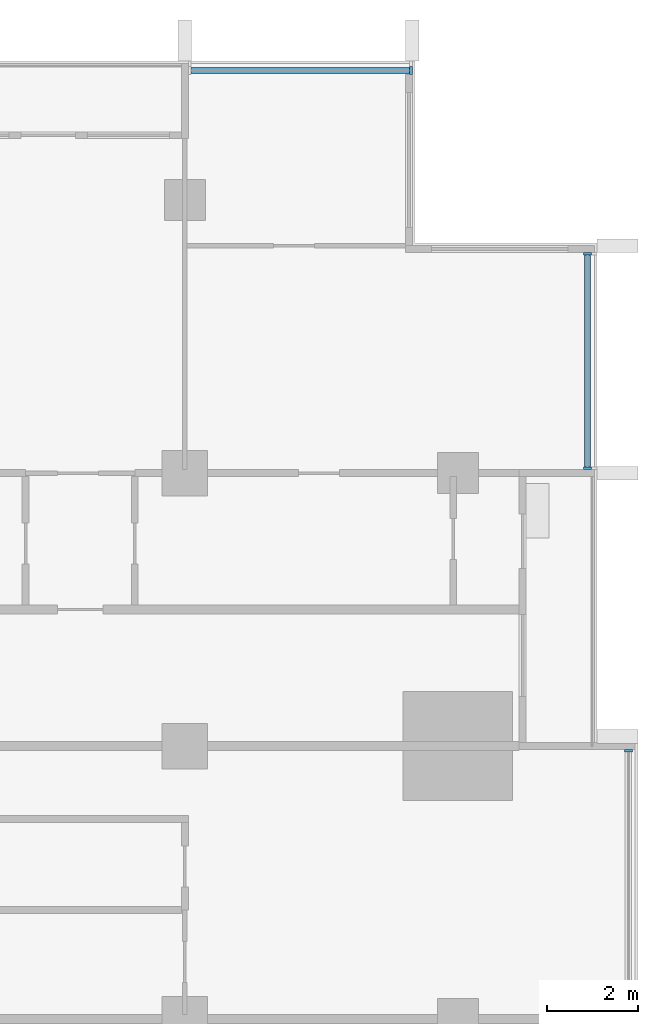
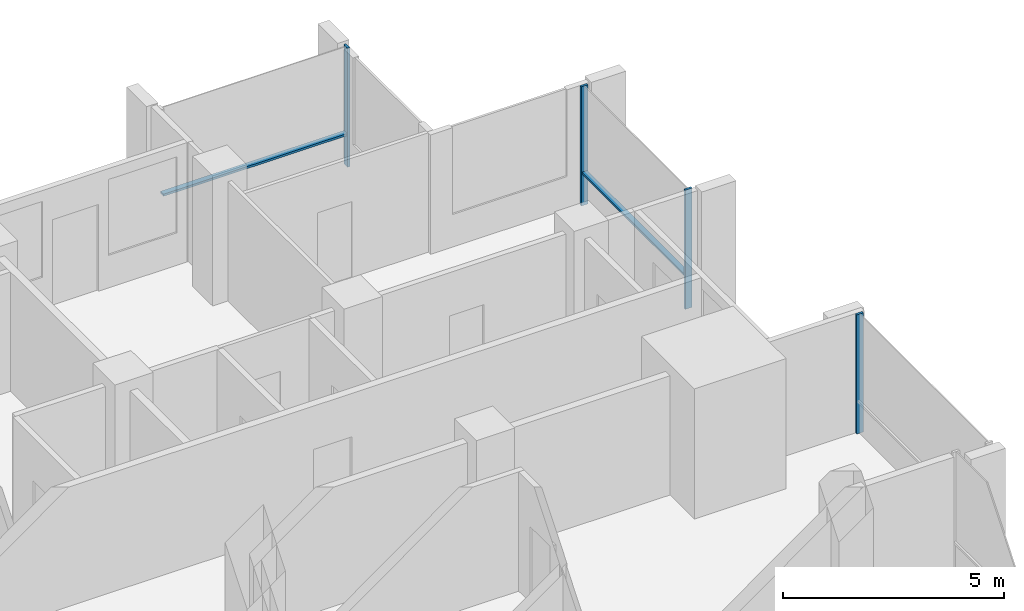
# One storey, part 5 of 16: 6 members, 3 elements without a shape of their own.
"""IFC4 building model written with IfcOpenShell, lengths in metres."""

from ifc_helpers import new_model, si_unit, direction, frame, origin, origin_2d, place, context, subcontext, project, spatial, rectangle, extrude, material, material_profile, profile_set, type_object, element, aggregate, save


model = new_model("IFC4")

# Units and contexts
model_context = context("Model", 3, precision=1e-05, world=origin(), true_north=direction((0.0, 1.0)))
body_context = subcontext(model_context, "Body", "Model", "MODEL_VIEW")
ifc_project = project(units=[si_unit("LENGTHUNIT", "METRE"), si_unit("AREAUNIT", "SQUARE_METRE"), si_unit("VOLUMEUNIT", "CUBIC_METRE"), si_unit("PLANEANGLEUNIT", "RADIAN"), si_unit("MASSUNIT", "GRAM", prefix="KILO")], contexts=[model_context])

# Site, building, storey
site_placement = place(None, origin())
site = spatial("IfcSite", under=ifc_project, at=site_placement, CompositionType="ELEMENT")
building_placement = place(site_placement, origin())
building = spatial("IfcBuilding", under=site, at=building_placement, Name="Finial Court Residences", CompositionType="ELEMENT")
storey_placement = place(building_placement, frame((0.0, 0.0, 178.10009765625)))
storey = spatial("IfcBuildingStorey", under=building, at=storey_placement, Name="L44", CompositionType="ELEMENT", Elevation=178.10009765625)

# Curtain wall, member
ifc_material = material(Name="Bronze anodised aluminium", Category="aluminium")
curtain_wall_type = type_object("IfcCurtainWallType", Name="Unitised curtain wall, upper zones", PredefinedType="NOTDEFINED", material=ifc_material)
curtain_wall_1_placement = place(storey_placement, origin())
curtain_wall_1 = element("IfcCurtainWall", 1, at=curtain_wall_1_placement, inside=storey, type_object=curtain_wall_type, Name="E-L44-CW-N3", PredefinedType="NOTDEFINED")
ifc_material_profile_1 = material_profile(ifc_material, rectangle(XDim=0.175048828125, YDim=0.06005859375, at=origin_2d()), Name="CW2 mullion 60 x 175")
ifc_profile_set_1 = profile_set([ifc_material_profile_1], Name="Bronze anodised aluminium")
member_type_1 = type_object("IfcMemberType", Name="CW2 mullion 60 x 175", PredefinedType="MULLION", material=ifc_profile_set_1)
member_1_placement = place(storey_placement, frame((15.469970703125, 22.35009765625, 0.0), z_axis=(0.0, 0.0, 1.0), x_axis=(0.0, 1.0, 0.0)))
member_1 = element("IfcMember", 2, at=member_1_placement, type_object=member_type_1, Name="CW2 mullion 2", PredefinedType="MULLION", context=body_context, shape_type="SweptSolid", body=[
    extrude(rectangle(XDim=0.175048828125, YDim=0.06005859375, at=origin_2d()), origin(), (0.0, 0.0, 1.0), 3.2998046875),
])

curtain_wall_2_placement = place(storey_placement, origin())
curtain_wall_2 = element("IfcCurtainWall", 3, at=curtain_wall_2_placement, inside=storey, type_object=curtain_wall_type, Name="E-L44-CW-E7", PredefinedType="NOTDEFINED")
member_2_placement = place(storey_placement, frame((20.25, 7.39501953125, 0.0), z_axis=(0.0, 0.0, 1.0), x_axis=(-1.0, 0.0, 0.0)))
member_2 = element("IfcMember", 4, at=member_2_placement, type_object=member_type_1, Name="CW2 mullion 2", PredefinedType="MULLION", context=body_context, shape_type="SweptSolid", body=[
    extrude(rectangle(XDim=0.175048828125, YDim=0.06005859375, at=origin_2d()), origin(), (0.0, 0.0, 1.0), 3.2998046875),
])
aggregate(curtain_wall_2, [member_2])

# Curtain wall, members
curtain_wall_3_placement = place(storey_placement, origin())
curtain_wall_3 = element("IfcCurtainWall", 5, at=curtain_wall_3_placement, inside=storey, type_object=curtain_wall_type, Name="E-L44-CW-E8", PredefinedType="NOTDEFINED")
member_3_placement = place(storey_placement, frame((19.35009765625, 13.60498046875, 0.0), z_axis=(0.0, 0.0, 1.0), x_axis=(-1.0, 0.0, 0.0)))
member_3 = element("IfcMember", 6, at=member_3_placement, type_object=member_type_1, Name="CW2 mullion 1", PredefinedType="MULLION", context=body_context, shape_type="SweptSolid", body=[
    extrude(rectangle(XDim=0.175048828125, YDim=0.06005859375, at=origin_2d()), origin(), (0.0, 0.0, 1.0), 3.2998046875),
])
member_4_placement = place(storey_placement, frame((19.35009765625, 18.320068359375, 0.0), z_axis=(0.0, 0.0, 1.0), x_axis=(-1.0, 0.0, 0.0)))
member_4 = element("IfcMember", 7, at=member_4_placement, type_object=member_type_1, Name="CW2 mullion 2", PredefinedType="MULLION", context=body_context, shape_type="SweptSolid", body=[
    extrude(rectangle(XDim=0.175048828125, YDim=0.06005859375, at=origin_2d()), origin(), (0.0, 0.0, 1.0), 3.2998046875),
])

# Member
ifc_material_profile_2 = material_profile(ifc_material, rectangle(XDim=0.139892578125, YDim=0.06005859375, at=origin_2d()), Name="CW2 transom 60 x 140")
ifc_profile_set_2 = profile_set([ifc_material_profile_2], Name="Bronze anodised aluminium")
member_type_2 = type_object("IfcMemberType", Name="CW2 transom 60 x 140", PredefinedType="USERDEFINED", material=ifc_profile_set_2)
member_5_placement = place(storey_placement, frame((10.635009765625, 22.35009765625, 0.89990234375), z_axis=(1.0, 0.0, 0.0), x_axis=(0.0, 1.0, 0.0)))
member_5 = element("IfcMember", 8, at=member_5_placement, type_object=member_type_2, Name="CW2 transom 1.1", ObjectType="TRANSOM", PredefinedType="USERDEFINED", context=body_context, shape_type="SweptSolid", body=[
    extrude(rectangle(XDim=0.139892578125, YDim=0.06005859375, at=origin_2d()), origin(), (0.0, 0.0, 1.0), 4.804931640625),
])

aggregate(curtain_wall_1, [member_1, member_5])

member_6_placement = place(storey_placement, frame((19.35009765625, 13.635009765625, 0.89990234375), z_axis=(0.0, 1.0, 0.0), x_axis=(-1.0, 0.0, 0.0)))
member_6 = element("IfcMember", 9, at=member_6_placement, type_object=member_type_2, Name="CW2 transom 1.1", ObjectType="TRANSOM", PredefinedType="USERDEFINED", context=body_context, shape_type="SweptSolid", body=[
    extrude(rectangle(XDim=0.139892578125, YDim=0.06005859375, at=origin_2d()), origin(), (0.0, 0.0, 1.0), 4.655029296875),
])

aggregate(curtain_wall_3, [member_3, member_4, member_6])

save(model, "model.ifc")
